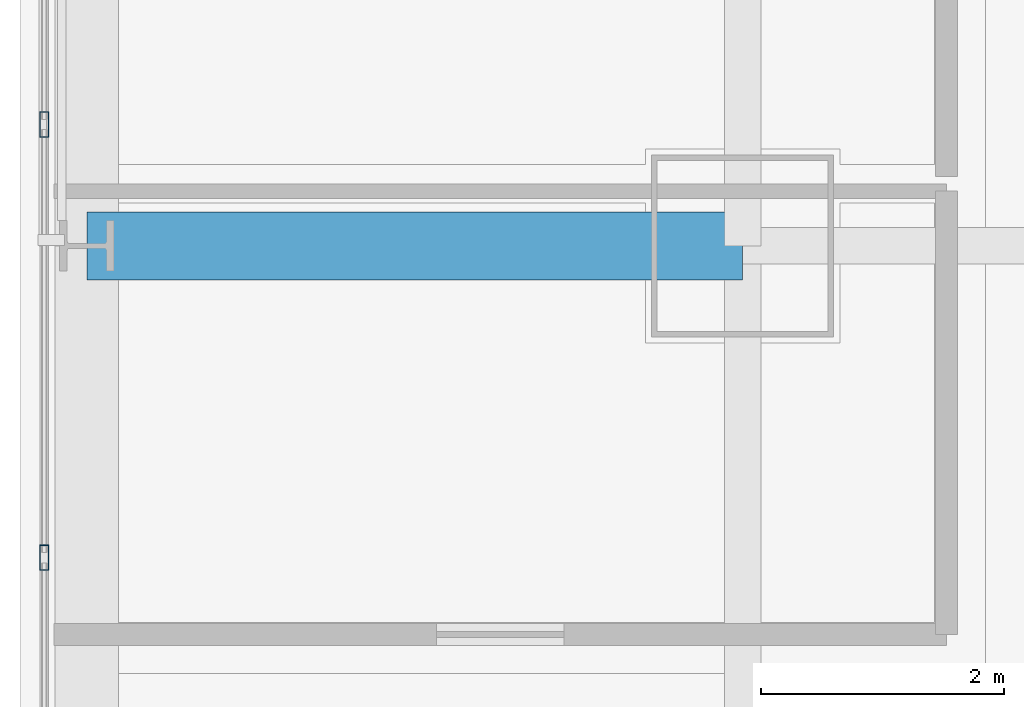
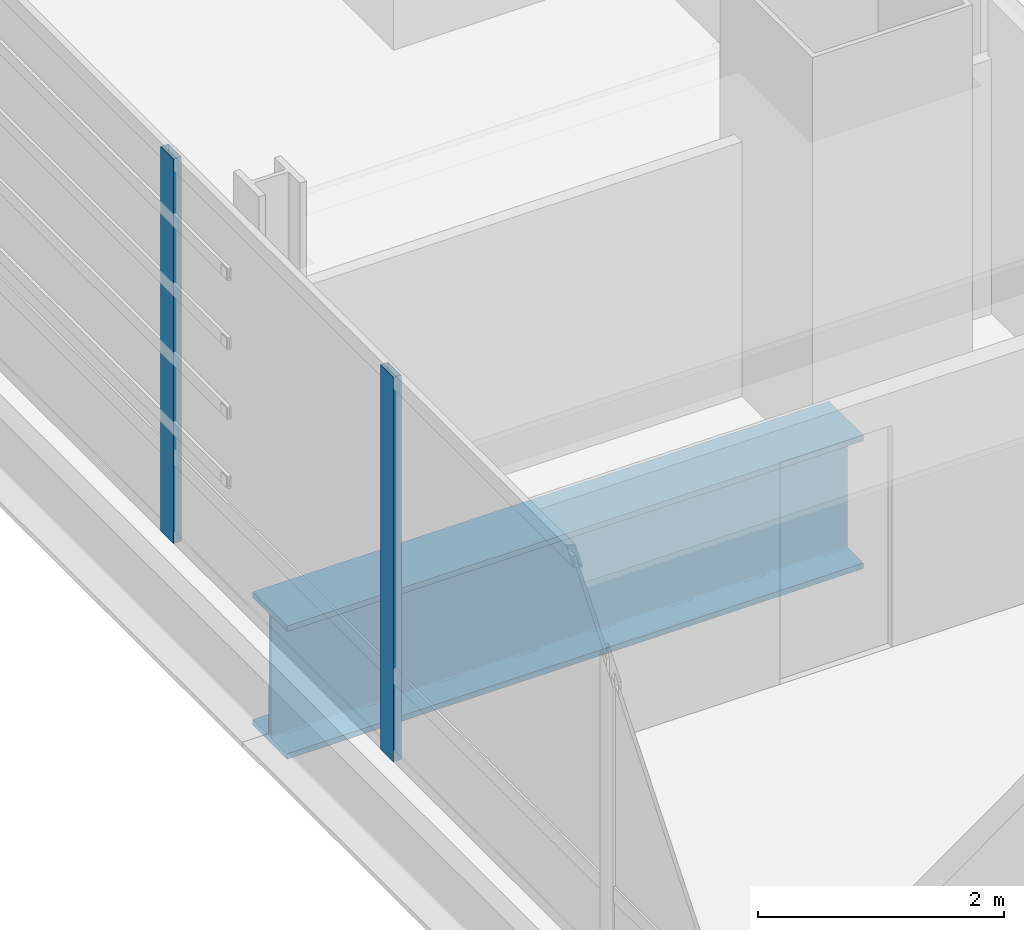
# One storey, part 9 of 36: 2 members, 1 beam, 1 element without a shape of its own.
"""IFC4 building model written with IfcOpenShell, lengths in metres."""

from ifc_helpers import new_model, si_unit, direction, frame, origin, origin_2d, place, context, subcontext, project, spatial, hollow_rectangle, i_section, extrude, material, material_profile, profile_set, type_object, element, aggregate, save


model = new_model("IFC4")

# Units and contexts
model_context = context("Model", 3, precision=1e-05, world=origin(), true_north=direction((0.0, 1.0)))
body_context = subcontext(model_context, "Body", "Model", "MODEL_VIEW")
ifc_project = project(units=[si_unit("LENGTHUNIT", "METRE"), si_unit("AREAUNIT", "SQUARE_METRE"), si_unit("VOLUMEUNIT", "CUBIC_METRE"), si_unit("PLANEANGLEUNIT", "RADIAN"), si_unit("MASSUNIT", "GRAM", prefix="KILO")], contexts=[model_context])

# Site, building, storey
site_placement = place(None, origin())
site = spatial("IfcSite", under=ifc_project, at=site_placement, CompositionType="ELEMENT")
building_placement = place(site_placement, origin())
building = spatial("IfcBuilding", under=site, at=building_placement, Name="Punatoya Terracotta Tower", CompositionType="ELEMENT")
storey_placement = place(building_placement, frame((0.0, 0.0, 40.35009765625)))
storey = spatial("IfcBuildingStorey", under=building, at=storey_placement, Name="L08", CompositionType="ELEMENT", Elevation=40.35009765625)

# Beam
ifc_material_1 = material(Name="Steel S460", Category="steel")
ifc_material_profile_1 = material_profile(ifc_material_1, i_section(OverallWidth=0.56005859375, OverallDepth=1.320068359375, WebThickness=0.035888671875, FlangeThickness=0.054931640625, FilletRadius=0.01806640625, at=origin_2d()))
ifc_profile_set_1 = profile_set([ifc_material_profile_1], Name="Steel S460")
beam_type = type_object("IfcBeamType", Name="BM-TG-BLK", PredefinedType="BEAM", material=ifc_profile_set_1)
beam_placement = place(storey_placement, frame((-24.5, -3.39990234375, -0.900146484375), z_axis=(1.0, 0.0, 0.0), x_axis=(0.0, 1.0, 0.0)))
element("IfcBeam", 1, at=beam_placement, inside=storey, type_object=beam_type, Name="BM-L08-CANT-W2", PredefinedType="BEAM", context=body_context, shape_type="SweptSolid", body=[
    extrude(i_section(OverallWidth=0.56005859375, OverallDepth=1.320068359375, WebThickness=0.035888671875, FlangeThickness=0.054931640625, FilletRadius=0.01806640625, at=origin_2d()), origin(), (0.0, 0.0, 1.0), 5.39990234375),
])

# Curtain wall, members
ifc_material_2 = material(Name="Aluminium 6063-T6 + Double Low-E Glass", Category="aluminium")
curtain_wall_type = type_object("IfcCurtainWallType", Name="CW-M1", PredefinedType="NOTDEFINED", material=ifc_material_2)
curtain_wall_placement = place(storey_placement, origin())
curtain_wall = element("IfcCurtainWall", 2, at=curtain_wall_placement, inside=storey, type_object=curtain_wall_type, Name="L08 Curtain Wall CW-L08-W13-1", PredefinedType="NOTDEFINED")
ifc_material_3 = material(Name="Aluminium 6063-T6", Category="aluminium")
ifc_material_profile_2 = material_profile(ifc_material_3, hollow_rectangle(XDim=0.074951171875, YDim=0.2099609375, WallThickness=0.00439453125, at=origin_2d()))
ifc_profile_set_2 = profile_set([ifc_material_profile_2], Name="Aluminium 6063-T6")
member_type = type_object("IfcMemberType", Name="CW-MUL-M1", PredefinedType="MULLION", material=ifc_profile_set_2)
member_1_placement = place(storey_placement, frame((-24.85009765625, -2.39990234375, 0.0), z_axis=(0.0, 0.0, 1.0), x_axis=(1.0, 0.0, 0.0)))
member_1 = element("IfcMember", 3, at=member_1_placement, type_object=member_type, Name="CW-L08-W13-1 Mullion 05", PredefinedType="MULLION", context=body_context, shape_type="SweptSolid", body=[
    extrude(hollow_rectangle(XDim=0.074951171875, YDim=0.2099609375, WallThickness=0.00439453125, at=origin_2d()), origin(), (0.0, 0.0, 1.0), 3.809814453125),
])
member_2_placement = place(storey_placement, frame((-24.85009765625, -5.96728515625, 0.0), z_axis=(0.0, 0.0, 1.0), x_axis=(1.0, 0.0, 0.0)))
member_2 = element("IfcMember", 4, at=member_2_placement, type_object=member_type, Name="CW-L08-W13-1 Mullion 06", PredefinedType="MULLION", context=body_context, shape_type="SweptSolid", body=[
    extrude(hollow_rectangle(XDim=0.074951171875, YDim=0.2099609375, WallThickness=0.00439453125, at=origin_2d()), origin(), (0.0, 0.0, 1.0), 3.809814453125),
])
aggregate(curtain_wall, [member_1, member_2])

save(model, "model.ifc")
